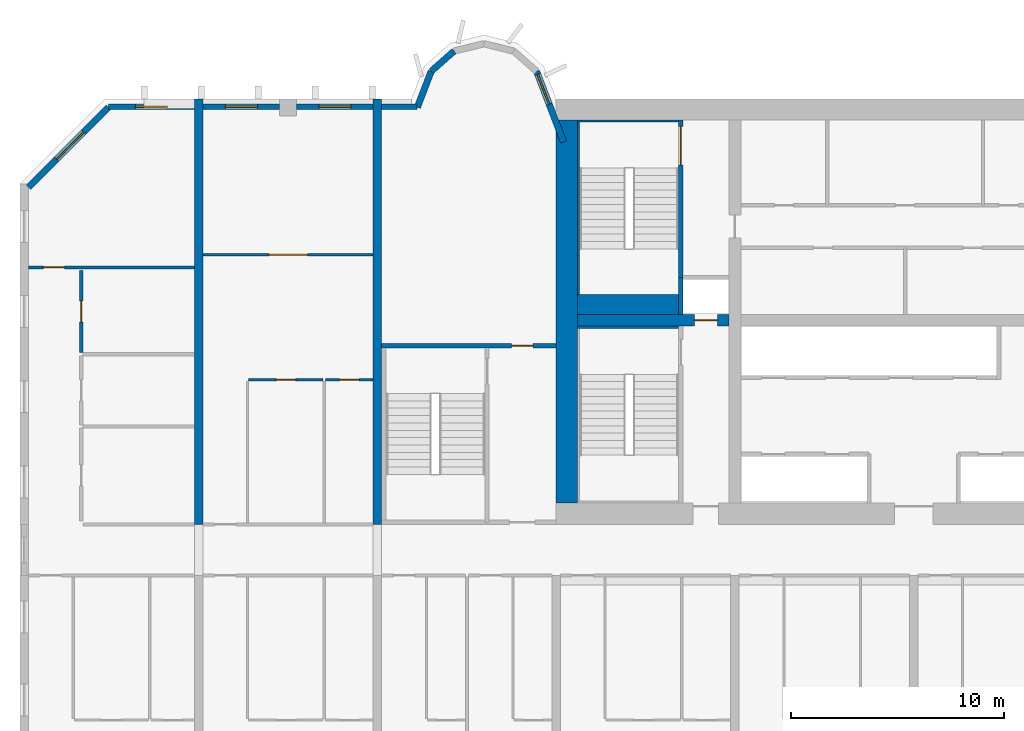
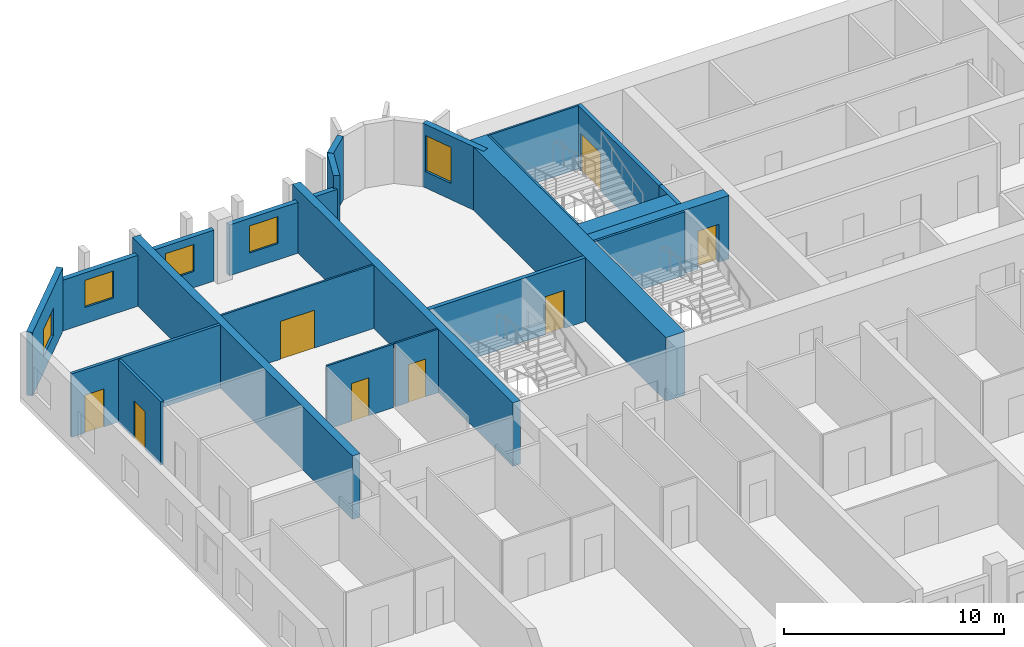
# One storey, part 6 of 15: 24 walls, 8 doors, 5 windows, 13 openings.
"""IFC4 building model written with IfcOpenShell, lengths in metres."""

from ifc_helpers import new_model, si_unit, direction, frame, frame_2d, origin, place, context, subcontext, project, spatial, rectangle, extrude, source, transform, mapped, material, layer, layer_set, type_object, element, fill, save


model = new_model("IFC4")

# Units and contexts
model_context = context("Model", 3, precision=1e-05, world=origin(), true_north=direction((0.0, 1.0)))
body_context = subcontext(model_context, "Body", "Model", "MODEL_VIEW")
ifc_project = project(units=[si_unit("LENGTHUNIT", "METRE"), si_unit("AREAUNIT", "SQUARE_METRE"), si_unit("VOLUMEUNIT", "CUBIC_METRE"), si_unit("PLANEANGLEUNIT", "RADIAN"), si_unit("MASSUNIT", "GRAM", prefix="KILO")], contexts=[model_context])

# Site, building, storey
site_placement = place(None, origin())
site = spatial("IfcSite", under=ifc_project, at=site_placement, CompositionType="ELEMENT")
building_placement = place(site_placement, origin())
building = spatial("IfcBuilding", under=site, at=building_placement, Name="Vanashikhar Sky Hotel", CompositionType="ELEMENT")
storey_placement = place(building_placement, frame((0.0, 0.0, 69.60009765625)))
storey = spatial("IfcBuildingStorey", under=building, at=storey_placement, Name="L16", CompositionType="ELEMENT", Elevation=69.60009765625)

# Wall
ifc_material_1 = material(Name="Concrete M80", Category="concrete")
ifc_layer_1 = layer(ifc_material_1, 1.0)
ifc_layer_set_1 = layer_set([ifc_layer_1], Name="RC core shell wall 1000 Concrete M80")
wall_type_1 = type_object("IfcWallType", Name="RC core shell wall 1000 Concrete M80", PredefinedType="SHEAR", material=ifc_layer_set_1)
shared_shape_1 = source(origin(), body_context, "Body", "SweptSolid", [
    extrude(rectangle(XDim=18.0, YDim=1.0, at=frame_2d((9.0, 0.0))), origin(), (0.0, 0.0, 1.0), 3.52001953125),
])
wall_1_placement = place(storey_placement, frame((25.699951171875, 23.0, 0.0), z_axis=(0.0, 0.0, 1.0), x_axis=(0.0, 1.0, 0.0)))
element("IfcWall", 1, at=wall_1_placement, inside=storey, type_object=wall_type_1, Name="KW-L16-KW", PredefinedType="SHEAR", context=body_context, shape_type="MappedRepresentation", body=[
    mapped(shared_shape_1, transform((0.0, 0.0, 0.0), scale=1.0)),
])

# Wall, opening, door
ifc_layer_2 = layer(ifc_material_1, 0.550048828125)
ifc_layer_set_2 = layer_set([ifc_layer_2], Name="RC core inner wall 550 Concrete M80")
wall_type_2 = type_object("IfcWallType", Name="RC core inner wall 550 Concrete M80", PredefinedType="SHEAR", material=ifc_layer_set_2)
shared_shape_2 = source(origin(), body_context, "Body", "SweptSolid", [
    extrude(rectangle(XDim=7.125, YDim=0.550048828125, at=frame_2d((3.5625, 0.0))), origin(), (0.0, 0.0, 1.0), 3.52001953125),
])
wall_2_placement = place(storey_placement, frame((26.199951171875, 31.60009765625, 0.0), z_axis=(0.0, 0.0, 1.0), x_axis=(1.0, 0.0, 0.0)))
wall_2 = element("IfcWall", 2, at=wall_2_placement, inside=storey, type_object=wall_type_2, Name="KW-L16-KY1", PredefinedType="SHEAR", context=body_context, shape_type="MappedRepresentation", body=[
    mapped(shared_shape_2, transform((0.0, 0.0, 0.0), scale=1.0)),
])
shared_shape_3 = source(origin(), body_context, "Body", "SweptSolid", [
    extrude(rectangle(XDim=1.10009765625, YDim=2.10009765625, at=frame_2d((0.550048828125, 1.050048828125))), frame((0.0, 0.28515625, 0.0), z_axis=(0.0, -1.0, 0.0), x_axis=(1.0, 0.0, 0.0)), (0.0, 0.0, 1.0), 0.570068359375),
])
opening_1_placement = place(wall_2_placement, frame((5.488037109375, 0.0, 0.0)))
opening_1 = element("IfcOpeningElement", 3, at=opening_1_placement, cuts=wall_2, Name="Opening LD", PredefinedType="OPENING", context=body_context, shape_type="MappedRepresentation", body=[
    mapped(shared_shape_3, transform((0.0, 0.0, 0.0), scale=1.0)),
])
ifc_material_2 = material(Name="Stainless steel", Category="steel")
door_type_1 = type_object("IfcDoorType", Name="Lift landing door 1100", OperationType="NOTDEFINED", PredefinedType="DOOR", material=ifc_material_2)
shared_shape_4 = source(origin(), body_context, "Body", "SweptSolid", [
    extrude(rectangle(XDim=1.10009765625, YDim=2.10009765625, at=frame_2d((0.550048828125, 1.050048828125))), frame((0.0, 0.02490234375, 0.0), z_axis=(0.0, -1.0, 0.0), x_axis=(1.0, 0.0, 0.0)), (0.0, 0.0, 1.0), 0.050048828125),
])
door_1_placement = place(opening_1_placement, origin())
door_1 = element("IfcDoor", 4, at=door_1_placement, inside=storey, type_object=door_type_1, Name="Lift landing door 1100", OperationType="SLIDING_TO_RIGHT", OverallHeight=2.10009765625, OverallWidth=1.10009765625, PredefinedType="DOOR", context=body_context, shape_type="MappedRepresentation", body=[
    mapped(shared_shape_4, transform((0.0, 0.0, 0.0), scale=1.0)),
])
fill(opening_1, door_1)

# Walls
ifc_layer_3 = layer(ifc_material_1, 0.39990234375)
ifc_layer_set_3 = layer_set([ifc_layer_3], Name="RC shear wall 400 Concrete M80")
wall_type_3 = type_object("IfcWallType", Name="RC shear wall 400 Concrete M80", PredefinedType="SHEAR", material=ifc_layer_set_3)
shared_shape_5 = source(origin(), body_context, "Body", "SweptSolid", [
    extrude(rectangle(XDim=20.0, YDim=0.39990234375, at=frame_2d((10.0, 0.0))), origin(), (0.0, 0.0, 1.0), 3.52001953125),
])
for number, where, z_axis, x_axis, name in (
    (5, (8.39990234375, 22.0, 0.0), (0.0, 0.0, 1.0), (0.0, 1.0, 0.0), "CW-L16-XW02-2"),
    (6, (16.800048828125, 22.0, 0.0), (0.0, 0.0, 1.0), (0.0, 1.0, 0.0), "CW-L16-XW03-2"),
):
    element("IfcWall", number, at=place(storey_placement, frame(where, z_axis=z_axis, x_axis=x_axis)), inside=storey, type_object=wall_type_3, Name=name, PredefinedType="SHEAR", context=body_context, shape_type="MappedRepresentation", body=[
        mapped(shared_shape_5, transform((0.0, 0.0, 0.0), scale=1.0)),
    ])

# Wall, opening, window
ifc_material_3 = material(Name="Concrete M50", Category="concrete")
ifc_layer_4 = layer(ifc_material_3, 0.300048828125)
ifc_layer_set_4 = layer_set([ifc_layer_4], Name="Lobe wall 300")
wall_type_4 = type_object("IfcWallType", Name="Lobe wall 300", PredefinedType="SOLIDWALL", material=ifc_layer_set_4)
shared_shape_6 = source(origin(), body_context, "Body", "SweptSolid", [
    extrude(rectangle(XDim=5.32568359375, YDim=0.300048828125, at=frame_2d((2.662841796875, 0.0))), origin(), (0.0, 0.0, 1.0), 3.52001953125),
])
wall_3_placement = place(storey_placement, frame((4.165771484375, 41.60009765625, 0.0), z_axis=(0.0, 0.0, 1.0), x_axis=(-0.707106781187, -0.707106781187, 0.0)))
wall_3 = element("IfcWall", 7, at=wall_3_placement, inside=storey, type_object=wall_type_4, Name="Corner wall", PredefinedType="SOLIDWALL", context=body_context, shape_type="MappedRepresentation", body=[
    mapped(shared_shape_6, transform((0.0, 0.0, 0.0), scale=1.0)),
])
shared_shape_7 = source(origin(), body_context, "Body", "SweptSolid", [
    extrude(rectangle(XDim=1.800048828125, YDim=1.5, at=frame_2d((0.89990234375, 0.75))), frame((0.0, 0.16015625, 0.0), z_axis=(0.0, -1.0, 0.0), x_axis=(1.0, 0.0, 0.0)), (0.0, 0.0, 1.0), 0.320068359375),
])
opening_2_placement = place(wall_3_placement, frame((1.654296875, 0.0, 0.89990234375)))
opening_2 = element("IfcOpeningElement", 8, at=opening_2_placement, cuts=wall_3, Name="Opening WN-4", PredefinedType="OPENING", context=body_context, shape_type="MappedRepresentation", body=[
    mapped(shared_shape_7, transform((0.0, 0.0, 0.0), scale=1.0)),
])
ifc_material_4 = material(Name="Glass", Category="glass")
window_type_1 = type_object("IfcWindowType", Name="Corner window 1800 x 1500", PartitioningType="SINGLE_PANEL", PredefinedType="WINDOW", material=ifc_material_4)
shared_shape_8 = source(origin(), body_context, "Body", "SweptSolid", [
    extrude(rectangle(XDim=1.800048828125, YDim=1.5, at=frame_2d((0.89990234375, 0.75))), frame((0.0, 0.030029296875, 0.0), z_axis=(0.0, -1.0, 0.0), x_axis=(1.0, 0.0, 0.0)), (0.0, 0.0, 1.0), 0.06005859375),
])
window_1_placement = place(opening_2_placement, origin())
window_1 = element("IfcWindow", 9, at=window_1_placement, inside=storey, type_object=window_type_1, Name="Window WN-4", OverallHeight=1.5, OverallWidth=1.800048828125, PartitioningType="SINGLE_PANEL", PredefinedType="WINDOW", context=body_context, shape_type="MappedRepresentation", body=[
    mapped(shared_shape_8, transform((0.0, 0.0, 0.0), scale=1.0)),
])
fill(opening_2, window_1)

shared_shape_9 = source(origin(), body_context, "Body", "SweptSolid", [
    extrude(rectangle(XDim=3.55908203125, YDim=0.300048828125, at=frame_2d((1.779541015625, 0.0))), origin(), (0.0, 0.0, 1.0), 3.52001953125),
])
wall_4_placement = place(storey_placement, frame((25.550048828125, 39.968505859375, 0.0), z_axis=(0.0, 0.0, 1.0), x_axis=(-0.35779745313, 0.933799219604, 0.0)))
wall_4 = element("IfcWall", 10, at=wall_4_placement, inside=storey, type_object=wall_type_4, Name="Lobe wall", PredefinedType="SOLIDWALL", context=body_context, shape_type="MappedRepresentation", body=[
    mapped(shared_shape_9, transform((0.0, 0.0, 0.0), scale=1.0)),
])
shared_shape_10 = source(origin(), body_context, "Body", "SweptSolid", [
    extrude(rectangle(XDim=1.5, YDim=2.0, at=frame_2d((0.75, 1.0))), frame((0.0, 0.16015625, 0.0), z_axis=(0.0, -1.0, 0.0), x_axis=(1.0, 0.0, 0.0)), (0.0, 0.0, 1.0), 0.320068359375),
])
opening_3_placement = place(wall_4_placement, frame((1.9033203125, 0.0, 0.89990234375)))
opening_3 = element("IfcOpeningElement", 11, at=opening_3_placement, cuts=wall_4, Name="Opening WN-2", PredefinedType="OPENING", context=body_context, shape_type="MappedRepresentation", body=[
    mapped(shared_shape_10, transform((0.0, 0.0, 0.0), scale=1.0)),
])
window_type_2 = type_object("IfcWindowType", Name="Lobe window 1500 x 2000", PartitioningType="SINGLE_PANEL", PredefinedType="WINDOW", material=ifc_material_4)
shared_shape_11 = source(origin(), body_context, "Body", "SweptSolid", [
    extrude(rectangle(XDim=1.5, YDim=2.0, at=frame_2d((0.75, 1.0))), frame((0.0, 0.030029296875, 0.0), z_axis=(0.0, -1.0, 0.0), x_axis=(1.0, 0.0, 0.0)), (0.0, 0.0, 1.0), 0.06005859375),
])
window_2_placement = place(opening_3_placement, origin())
window_2 = element("IfcWindow", 12, at=window_2_placement, inside=storey, type_object=window_type_2, Name="Window WN-2", OverallHeight=2.0, OverallWidth=1.5, PartitioningType="SINGLE_PANEL", PredefinedType="WINDOW", context=body_context, shape_type="MappedRepresentation", body=[
    mapped(shared_shape_11, transform((0.0, 0.0, 0.0), scale=1.0)),
])
fill(opening_3, window_2)

# Walls
shared_shape_12 = source(origin(), body_context, "Body", "SweptSolid", [
    extrude(rectangle(XDim=1.43994140625, YDim=0.300048828125, at=frame_2d((0.719970703125, 0.0))), origin(), (0.0, 0.0, 1.0), 3.52001953125),
])
wall_5_placement = place(storey_placement, frame((20.40283203125, 44.2451171875, 0.0), z_axis=(0.0, 0.0, 1.0), x_axis=(-0.74957555648, -0.661918790432, 0.0)))
element("IfcWall", 13, at=wall_5_placement, inside=storey, type_object=wall_type_4, Name="Lobe wall", PredefinedType="SOLIDWALL", context=body_context, shape_type="MappedRepresentation", body=[
    mapped(shared_shape_12, transform((0.0, 0.0, 0.0), scale=1.0)),
])
shared_shape_13 = source(origin(), body_context, "Body", "SweptSolid", [
    extrude(rectangle(XDim=1.81201171875, YDim=0.300048828125, at=frame_2d((0.906005859375, 0.0))), origin(), (0.0, 0.0, 1.0), 3.52001953125),
])
wall_6_placement = place(storey_placement, frame((19.323486328125, 43.2919921875, 0.0), z_axis=(0.0, 0.0, 1.0), x_axis=(-0.357877270961, -0.93376863244, 0.0)))
element("IfcWall", 14, at=wall_6_placement, inside=storey, type_object=wall_type_4, Name="Lobe wall", PredefinedType="SOLIDWALL", context=body_context, shape_type="MappedRepresentation", body=[
    mapped(shared_shape_13, transform((0.0, 0.0, 0.0), scale=1.0)),
])
ifc_layer_5 = layer(ifc_material_3, 0.25)
ifc_layer_set_5 = layer_set([ifc_layer_5], Name="Rear and end board-marked wall 250")
wall_type_5 = type_object("IfcWallType", Name="Rear and end board-marked wall 250", PredefinedType="SOLIDWALL", material=ifc_layer_set_5)
shared_shape_14 = source(origin(), body_context, "Body", "SweptSolid", [
    extrude(rectangle(XDim=1.657958984375, YDim=0.25, at=frame_2d((0.8291015625, 0.0))), origin(), (0.0, 0.0, 1.0), 2.81982421875),
])
wall_7_placement = place(storey_placement, frame((18.657958984375, 41.625, 0.0), z_axis=(0.0, 0.0, 1.0), x_axis=(-1.0, 0.0, 0.0)))
element("IfcWall", 15, at=wall_7_placement, inside=storey, type_object=wall_type_5, Name="Rear board-marked wall", PredefinedType="SOLIDWALL", context=body_context, shape_type="MappedRepresentation", body=[
    mapped(shared_shape_14, transform((0.0, 0.0, 0.0), scale=1.0)),
])

# Wall, opening, window
shared_shape_15 = source(origin(), body_context, "Body", "SweptSolid", [
    extrude(rectangle(XDim=3.60009765625, YDim=0.25, at=frame_2d((1.800048828125, 0.0))), origin(), (0.0, 0.0, 1.0), 2.81982421875),
])
wall_8_placement = place(storey_placement, frame((16.60009765625, 41.625, 0.0), z_axis=(0.0, 0.0, 1.0), x_axis=(-1.0, 0.0, 0.0)))
wall_8 = element("IfcWall", 16, at=wall_8_placement, inside=storey, type_object=wall_type_5, Name="Rear board-marked wall", PredefinedType="SOLIDWALL", context=body_context, shape_type="MappedRepresentation", body=[
    mapped(shared_shape_15, transform((0.0, 0.0, 0.0), scale=1.0)),
])
shared_shape_16 = source(origin(), body_context, "Body", "SweptSolid", [
    extrude(rectangle(XDim=1.5, YDim=1.5, at=frame_2d((0.75, 0.75))), frame((0.0, 0.135009765625, 0.0), z_axis=(0.0, -1.0, 0.0), x_axis=(1.0, 0.0, 0.0)), (0.0, 0.0, 1.0), 0.27001953125),
])
opening_4_placement = place(wall_8_placement, frame((1.050048828125, 0.0, 0.89990234375)))
opening_4 = element("IfcOpeningElement", 17, at=opening_4_placement, cuts=wall_8, Name="Opening WN-1", PredefinedType="OPENING", context=body_context, shape_type="MappedRepresentation", body=[
    mapped(shared_shape_16, transform((0.0, 0.0, 0.0), scale=1.0)),
])
window_type_3 = type_object("IfcWindowType", Name="Window 1500 x 1500", PartitioningType="SINGLE_PANEL", PredefinedType="WINDOW", material=ifc_material_4)
shared_shape_17 = source(origin(), body_context, "Body", "SweptSolid", [
    extrude(rectangle(XDim=1.5, YDim=1.5, at=frame_2d((0.75, 0.75))), frame((0.0, 0.030029296875, 0.0), z_axis=(0.0, -1.0, 0.0), x_axis=(1.0, 0.0, 0.0)), (0.0, 0.0, 1.0), 0.06005859375),
])
window_3_placement = place(opening_4_placement, origin())
window_3 = element("IfcWindow", 18, at=window_3_placement, inside=storey, type_object=window_type_3, Name="Window WN-1", OverallHeight=1.5, OverallWidth=1.5, PartitioningType="SINGLE_PANEL", PredefinedType="WINDOW", context=body_context, shape_type="MappedRepresentation", body=[
    mapped(shared_shape_17, transform((0.0, 0.0, 0.0), scale=1.0)),
])
fill(opening_4, window_3)

shared_shape_18 = source(origin(), body_context, "Body", "SweptSolid", [
    extrude(rectangle(XDim=3.599853515625, YDim=0.25, at=frame_2d((1.7998046875, 0.0))), origin(), (0.0, 0.0, 1.0), 2.81982421875),
])
wall_9_placement = place(storey_placement, frame((12.199951171875, 41.625, 0.0), z_axis=(0.0, 0.0, 1.0), x_axis=(-1.0, 0.0, 0.0)))
wall_9 = element("IfcWall", 19, at=wall_9_placement, inside=storey, type_object=wall_type_5, Name="Rear board-marked wall", PredefinedType="SOLIDWALL", context=body_context, shape_type="MappedRepresentation", body=[
    mapped(shared_shape_18, transform((0.0, 0.0, 0.0), scale=1.0)),
])
opening_5_placement = place(wall_9_placement, frame((1.050048828125, 0.0, 0.89990234375)))
opening_5 = element("IfcOpeningElement", 20, at=opening_5_placement, cuts=wall_9, Name="Opening WN-1", PredefinedType="OPENING", context=body_context, shape_type="MappedRepresentation", body=[
    mapped(shared_shape_16, transform((0.0, 0.0, 0.0), scale=1.0)),
])
window_4_placement = place(opening_5_placement, origin())
window_4 = element("IfcWindow", 21, at=window_4_placement, inside=storey, type_object=window_type_3, Name="Window WN-1", OverallHeight=1.5, OverallWidth=1.5, PartitioningType="SINGLE_PANEL", PredefinedType="WINDOW", context=body_context, shape_type="MappedRepresentation", body=[
    mapped(shared_shape_17, transform((0.0, 0.0, 0.0), scale=1.0)),
])
fill(opening_5, window_4)

shared_shape_19 = source(origin(), body_context, "Body", "SweptSolid", [
    extrude(rectangle(XDim=4.044677734375, YDim=0.25, at=frame_2d((2.0224609375, 0.0))), origin(), (0.0, 0.0, 1.0), 2.81982421875),
])
wall_10_placement = place(storey_placement, frame((8.199951171875, 41.625, 0.0), z_axis=(0.0, 0.0, 1.0), x_axis=(-1.0, 0.0, 0.0)))
wall_10 = element("IfcWall", 22, at=wall_10_placement, inside=storey, type_object=wall_type_5, Name="Rear board-marked wall", PredefinedType="SOLIDWALL", context=body_context, shape_type="MappedRepresentation", body=[
    mapped(shared_shape_19, transform((0.0, 0.0, 0.0), scale=1.0)),
])
opening_6_placement = place(wall_10_placement, frame((1.2724609375, 0.0, 0.89990234375)))
opening_6 = element("IfcOpeningElement", 23, at=opening_6_placement, cuts=wall_10, Name="Opening WN-1", PredefinedType="OPENING", context=body_context, shape_type="MappedRepresentation", body=[
    mapped(shared_shape_16, transform((0.0, 0.0, 0.0), scale=1.0)),
])
window_5_placement = place(opening_6_placement, origin())
window_5 = element("IfcWindow", 24, at=window_5_placement, inside=storey, type_object=window_type_3, Name="Window WN-1", OverallHeight=1.5, OverallWidth=1.5, PartitioningType="SINGLE_PANEL", PredefinedType="WINDOW", context=body_context, shape_type="MappedRepresentation", body=[
    mapped(shared_shape_17, transform((0.0, 0.0, 0.0), scale=1.0)),
])
fill(opening_6, window_5)

# Wall, opening, door
ifc_layer_6 = layer(ifc_material_3, 0.199951171875)
ifc_layer_set_6 = layer_set([ifc_layer_6], Name="Stair wall 200")
wall_type_6 = type_object("IfcWallType", Name="Stair wall 200", PredefinedType="SOLIDWALL", material=ifc_layer_set_6)
shared_shape_20 = source(origin(), body_context, "Body", "SweptSolid", [
    extrude(rectangle(XDim=8.199951171875, YDim=0.199951171875, at=frame_2d((4.10009765625, 0.0))), origin(), (0.0, 0.0, 1.0), 3.52001953125),
])
wall_11_placement = place(storey_placement, frame((17.0, 30.39990234375, 0.0), z_axis=(0.0, 0.0, 1.0), x_axis=(1.0, 0.0, 0.0)))
wall_11 = element("IfcWall", 25, at=wall_11_placement, inside=storey, type_object=wall_type_6, Name="Stair wall 200", PredefinedType="SOLIDWALL", context=body_context, shape_type="MappedRepresentation", body=[
    mapped(shared_shape_20, transform((0.0, 0.0, 0.0), scale=1.0)),
])
shared_shape_21 = source(origin(), body_context, "Body", "SweptSolid", [
    extrude(rectangle(XDim=1.0, YDim=2.10009765625, at=frame_2d((0.5, 1.050048828125))), frame((0.0, 0.10986328125, 0.0), z_axis=(0.0, -1.0, 0.0), x_axis=(1.0, 0.0, 0.0)), (0.0, 0.0, 1.0), 0.219970703125),
])
opening_7_placement = place(wall_11_placement, frame((6.10009765625, 0.0, 0.0)))
opening_7 = element("IfcOpeningElement", 26, at=opening_7_placement, cuts=wall_11, Name="Opening DC-6", PredefinedType="OPENING", context=body_context, shape_type="MappedRepresentation", body=[
    mapped(shared_shape_21, transform((0.0, 0.0, 0.0), scale=1.0)),
])
ifc_material_5 = material(Name="Steel", Category="steel")
door_type_2 = type_object("IfcDoorType", Name="Pocket door 1000 FD60", OperationType="NOTDEFINED", PredefinedType="DOOR", material=ifc_material_5)
shared_shape_22 = source(origin(), body_context, "Body", "SweptSolid", [
    extrude(rectangle(XDim=1.0, YDim=2.10009765625, at=frame_2d((0.5, 1.050048828125))), frame((0.0, 0.02490234375, 0.0), z_axis=(0.0, -1.0, 0.0), x_axis=(1.0, 0.0, 0.0)), (0.0, 0.0, 1.0), 0.050048828125),
])
door_2_placement = place(opening_7_placement, origin())
door_2 = element("IfcDoor", 27, at=door_2_placement, inside=storey, type_object=door_type_2, Name="Pocket door 1000 FD60", OperationType="SINGLE_SWING_LEFT", OverallHeight=2.10009765625, OverallWidth=1.0, PredefinedType="DOOR", context=body_context, shape_type="MappedRepresentation", body=[
    mapped(shared_shape_22, transform((0.0, 0.0, 0.0), scale=1.0)),
])
fill(opening_7, door_2)

# Walls
ifc_layer_7 = layer(ifc_material_3, 0.10009765625)
ifc_layer_set_7 = layer_set([ifc_layer_7], Name="Stair infill wall 100")
wall_type_7 = type_object("IfcWallType", Name="Stair infill wall 100", PredefinedType="SOLIDWALL", material=ifc_layer_set_7)
shared_shape_23 = source(origin(), body_context, "Body", "SweptSolid", [
    extrude(rectangle(XDim=4.75, YDim=0.10009765625, at=frame_2d((2.375, 0.0))), origin(), (0.0, 0.0, 1.0), 3.52001953125),
])
wall_12_placement = place(storey_placement, frame((26.199951171875, 40.949951171875, 0.0), z_axis=(0.0, 0.0, 1.0), x_axis=(1.0, 0.0, 0.0)))
element("IfcWall", 28, at=wall_12_placement, inside=storey, type_object=wall_type_7, Name="Stair infill wall 100", PredefinedType="SOLIDWALL", context=body_context, shape_type="MappedRepresentation", body=[
    mapped(shared_shape_23, transform((0.0, 0.0, 0.0), scale=1.0)),
])
shared_shape_24 = source(origin(), body_context, "Body", "SweptSolid", [
    extrude(rectangle(XDim=8.099853515625, YDim=0.10009765625, at=frame_2d((4.0498046875, 0.0))), origin(), (0.0, 0.0, 1.0), 3.52001953125),
])
wall_13_placement = place(storey_placement, frame((26.25, 32.800048828125, 0.0), z_axis=(0.0, 0.0, 1.0), x_axis=(0.0, 1.0, 0.0)))
element("IfcWall", 29, at=wall_13_placement, inside=storey, type_object=wall_type_7, Name="Stair infill wall 100", PredefinedType="SOLIDWALL", context=body_context, shape_type="MappedRepresentation", body=[
    mapped(shared_shape_24, transform((0.0, 0.0, 0.0), scale=1.0)),
])
ifc_material_6 = material(Name="Concrete M40", Category="concrete")
ifc_layer_8 = layer(ifc_material_6, 0.199951171875)
ifc_layer_set_8 = layer_set([ifc_layer_8], Name="Shaft wall 200")
wall_type_8 = type_object("IfcWallType", Name="Shaft wall 200", PredefinedType="SOLIDWALL", material=ifc_layer_set_8)
shared_shape_25 = source(origin(), body_context, "Body", "SweptSolid", [
    extrude(rectangle(XDim=1.72509765625, YDim=0.199951171875, at=frame_2d((0.862548828125, 0.0))), origin(), (0.0, 0.0, 1.0), 3.52001953125),
])
wall_14_placement = place(storey_placement, frame((31.050048828125, 31.875, 0.0), z_axis=(0.0, 0.0, 1.0), x_axis=(0.0, 1.0, 0.0)))
element("IfcWall", 30, at=wall_14_placement, inside=storey, type_object=wall_type_8, Name="Shaft wall 200", PredefinedType="SOLIDWALL", context=body_context, shape_type="MappedRepresentation", body=[
    mapped(shared_shape_25, transform((0.0, 0.0, 0.0), scale=1.0)),
])

# Wall, opening, door
shared_shape_26 = source(origin(), body_context, "Body", "SweptSolid", [
    extrude(rectangle(XDim=7.39990234375, YDim=0.199951171875, at=frame_2d((3.699951171875, 0.0))), origin(), (0.0, 0.0, 1.0), 3.52001953125),
])
wall_15_placement = place(storey_placement, frame((31.050048828125, 33.60009765625, 0.0), z_axis=(0.0, 0.0, 1.0), x_axis=(0.0, 1.0, 0.0)))
wall_15 = element("IfcWall", 31, at=wall_15_placement, inside=storey, type_object=wall_type_6, Name="Stair wall 200", PredefinedType="SOLIDWALL", context=body_context, shape_type="MappedRepresentation", body=[
    mapped(shared_shape_26, transform((0.0, 0.0, 0.0), scale=1.0)),
])
shared_shape_27 = source(origin(), body_context, "Body", "SweptSolid", [
    extrude(rectangle(XDim=1.800048828125, YDim=2.10009765625, at=frame_2d((0.89990234375, 1.050048828125))), frame((0.0, 0.10986328125, 0.0), z_axis=(0.0, -1.0, 0.0), x_axis=(1.0, 0.0, 0.0)), (0.0, 0.0, 1.0), 0.219970703125),
])
opening_8_placement = place(wall_15_placement, frame((5.300048828125, 0.0, 0.0)))
opening_8 = element("IfcOpeningElement", 32, at=opening_8_placement, cuts=wall_15, Name="Opening DC-1-A", PredefinedType="OPENING", context=body_context, shape_type="MappedRepresentation", body=[
    mapped(shared_shape_27, transform((0.0, 0.0, 0.0), scale=1.0)),
])
door_type_3 = type_object("IfcDoorType", Name="Stair door 1800 FD120", OperationType="NOTDEFINED", PredefinedType="DOOR", material=ifc_material_5)
shared_shape_28 = source(origin(), body_context, "Body", "SweptSolid", [
    extrude(rectangle(XDim=1.800048828125, YDim=2.10009765625, at=frame_2d((0.89990234375, 1.050048828125))), frame((0.0, 0.02490234375, 0.0), z_axis=(0.0, -1.0, 0.0), x_axis=(1.0, 0.0, 0.0)), (0.0, 0.0, 1.0), 0.050048828125),
])
door_3_placement = place(opening_8_placement, origin())
door_3 = element("IfcDoor", 33, at=door_3_placement, inside=storey, type_object=door_type_3, Name="Stair door 1800 FD120", OperationType="SINGLE_SWING_LEFT", OverallHeight=2.10009765625, OverallWidth=1.800048828125, PredefinedType="DOOR", context=body_context, shape_type="MappedRepresentation", body=[
    mapped(shared_shape_28, transform((0.0, 0.0, 0.0), scale=1.0)),
])
fill(opening_8, door_3)

# Walls
ifc_layer_9 = layer(ifc_material_3, 0.125)
ifc_layer_set_9 = layer_set([ifc_layer_9], Name="Stair infill wall 125")
wall_type_9 = type_object("IfcWallType", Name="Stair infill wall 125", PredefinedType="SOLIDWALL", material=ifc_layer_set_9)
shared_shape_29 = source(origin(), body_context, "Body", "SweptSolid", [
    extrude(rectangle(XDim=4.75, YDim=0.125, at=frame_2d((2.375, 0.0))), origin(), (0.0, 0.0, 1.0), 3.52001953125),
])
wall_16_placement = place(storey_placement, frame((26.199951171875, 31.261962890625, 0.0), z_axis=(0.0, 0.0, 1.0), x_axis=(1.0, 0.0, 0.0)))
element("IfcWall", 34, at=wall_16_placement, inside=storey, type_object=wall_type_9, Name="Stair infill wall 125", PredefinedType="SOLIDWALL", context=body_context, shape_type="MappedRepresentation", body=[
    mapped(shared_shape_29, transform((0.0, 0.0, 0.0), scale=1.0)),
])
ifc_layer_10 = layer(ifc_material_3, 0.925048828125)
ifc_layer_set_10 = layer_set([ifc_layer_10], Name="Stair infill wall 925")
wall_type_10 = type_object("IfcWallType", Name="Stair infill wall 925", PredefinedType="SOLIDWALL", material=ifc_layer_set_10)
shared_shape_30 = source(origin(), body_context, "Body", "SweptSolid", [
    extrude(rectangle(XDim=4.75, YDim=0.925048828125, at=frame_2d((2.375, 0.0))), origin(), (0.0, 0.0, 1.0), 3.52001953125),
])
wall_17_placement = place(storey_placement, frame((26.199951171875, 32.3369140625, 0.0), z_axis=(0.0, 0.0, 1.0), x_axis=(1.0, 0.0, 0.0)))
element("IfcWall", 35, at=wall_17_placement, inside=storey, type_object=wall_type_10, Name="Stair infill wall 925", PredefinedType="SOLIDWALL", context=body_context, shape_type="MappedRepresentation", body=[
    mapped(shared_shape_30, transform((0.0, 0.0, 0.0), scale=1.0)),
])

# Wall, opening, door
ifc_material_7 = material(Name="Gypsum plasterboard partition")
ifc_layer_11 = layer(ifc_material_7, 0.14990234375)
ifc_layer_set_11 = layer_set([ifc_layer_11], Name="Corridor and demising partition 150")
wall_type_11 = type_object("IfcWallType", Name="Corridor and demising partition 150", PredefinedType="PARTITIONING", material=ifc_layer_set_11)
shared_shape_31 = source(origin(), body_context, "Body", "SweptSolid", [
    extrude(rectangle(XDim=3.85009765625, YDim=0.14990234375, at=frame_2d((1.925048828125, 0.0))), origin(), (0.0, 0.0, 1.0), 3.52001953125),
])
wall_18_placement = place(storey_placement, frame((2.875, 30.074951171875, 0.0), z_axis=(0.0, 0.0, 1.0), x_axis=(0.0, 1.0, 0.0)))
wall_18 = element("IfcWall", 36, at=wall_18_placement, inside=storey, type_object=wall_type_11, Name="W-L16-PW075", PredefinedType="PARTITIONING", context=body_context, shape_type="MappedRepresentation", body=[
    mapped(shared_shape_31, transform((0.0, 0.0, 0.0), scale=1.0)),
])
shared_shape_32 = source(origin(), body_context, "Body", "SweptSolid", [
    extrude(rectangle(XDim=1.0, YDim=2.10009765625, at=frame_2d((0.5, 1.050048828125))), frame((0.0, 0.0849609375, 0.0), z_axis=(0.0, -1.0, 0.0), x_axis=(1.0, 0.0, 0.0)), (0.0, 0.0, 1.0), 0.169921875),
])
opening_9_placement = place(wall_18_placement, frame((1.425048828125, 0.0, 0.0)))
opening_9 = element("IfcOpeningElement", 37, at=opening_9_placement, cuts=wall_18, Name="Opening D-01", PredefinedType="OPENING", context=body_context, shape_type="MappedRepresentation", body=[
    mapped(shared_shape_32, transform((0.0, 0.0, 0.0), scale=1.0)),
])
ifc_material_8 = material(Name="Timber fire door", Category="wood")
door_type_4 = type_object("IfcDoorType", Name="Guest entry door 1000 FD30S", OperationType="NOTDEFINED", PredefinedType="DOOR", material=ifc_material_8)
door_4_placement = place(opening_9_placement, origin())
door_4 = element("IfcDoor", 38, at=door_4_placement, inside=storey, type_object=door_type_4, Name="D-L16-045", OperationType="SINGLE_SWING_LEFT", OverallHeight=2.10009765625, OverallWidth=1.0, PredefinedType="DOOR", context=body_context, shape_type="MappedRepresentation", body=[
    mapped(shared_shape_22, transform((0.0, 0.0, 0.0), scale=1.0)),
])
fill(opening_9, door_4)

ifc_layer_12 = layer(ifc_material_7, 0.10009765625)
ifc_layer_set_12 = layer_set([ifc_layer_12], Name="Wet room partition 100")
wall_type_12 = type_object("IfcWallType", Name="Wet room partition 100", PredefinedType="PARTITIONING", material=ifc_layer_set_12)
shared_shape_33 = source(origin(), body_context, "Body", "SweptSolid", [
    extrude(rectangle(XDim=3.5, YDim=0.10009765625, at=frame_2d((1.75, 0.0))), origin(), (0.0, 0.0, 1.0), 3.52001953125),
])
wall_19_placement = place(storey_placement, frame((10.75, 28.800048828125, 0.0), z_axis=(0.0, 0.0, 1.0), x_axis=(1.0, 0.0, 0.0)))
wall_19 = element("IfcWall", 39, at=wall_19_placement, inside=storey, type_object=wall_type_12, Name="W-L16-PW079", PredefinedType="PARTITIONING", context=body_context, shape_type="MappedRepresentation", body=[
    mapped(shared_shape_33, transform((0.0, 0.0, 0.0), scale=1.0)),
])
shared_shape_34 = source(origin(), body_context, "Body", "SweptSolid", [
    extrude(rectangle(XDim=0.89990234375, YDim=2.10009765625, at=frame_2d((0.449951171875, 1.050048828125))), frame((0.0, 0.06005859375, 0.0), z_axis=(0.0, -1.0, 0.0), x_axis=(1.0, 0.0, 0.0)), (0.0, 0.0, 1.0), 0.1201171875),
])
opening_10_placement = place(wall_19_placement, frame((1.300048828125, 0.0, 0.0)))
opening_10 = element("IfcOpeningElement", 40, at=opening_10_placement, cuts=wall_19, Name="Opening D-02", PredefinedType="OPENING", context=body_context, shape_type="MappedRepresentation", body=[
    mapped(shared_shape_34, transform((0.0, 0.0, 0.0), scale=1.0)),
])
ifc_material_9 = material(Name="Timber door", Category="wood")
door_type_5 = type_object("IfcDoorType", Name="Internal door 900", OperationType="NOTDEFINED", PredefinedType="DOOR", material=ifc_material_9)
shared_shape_35 = source(origin(), body_context, "Body", "SweptSolid", [
    extrude(rectangle(XDim=0.89990234375, YDim=2.10009765625, at=frame_2d((0.449951171875, 1.050048828125))), frame((0.0, 0.02490234375, 0.0), z_axis=(0.0, -1.0, 0.0), x_axis=(1.0, 0.0, 0.0)), (0.0, 0.0, 1.0), 0.050048828125),
])
door_5_placement = place(opening_10_placement, origin())
door_5 = element("IfcDoor", 41, at=door_5_placement, inside=storey, type_object=door_type_5, Name="D-L16-047", OperationType="SINGLE_SWING_LEFT", OverallHeight=2.10009765625, OverallWidth=0.89990234375, PredefinedType="DOOR", context=body_context, shape_type="MappedRepresentation", body=[
    mapped(shared_shape_35, transform((0.0, 0.0, 0.0), scale=1.0)),
])
fill(opening_10, door_5)

shared_shape_36 = source(origin(), body_context, "Body", "SweptSolid", [
    extrude(rectangle(XDim=8.0, YDim=0.10009765625, at=frame_2d((4.0, 0.0))), origin(), (0.0, 0.0, 1.0), 3.52001953125),
])
wall_20_placement = place(storey_placement, frame((8.60009765625, 34.672119140625, 0.0), z_axis=(0.0, 0.0, 1.0), x_axis=(1.0, 0.0, 0.0)))
wall_20 = element("IfcWall", 42, at=wall_20_placement, inside=storey, type_object=wall_type_12, Name="W-L16-PW081", PredefinedType="PARTITIONING", context=body_context, shape_type="MappedRepresentation", body=[
    mapped(shared_shape_36, transform((0.0, 0.0, 0.0), scale=1.0)),
])
shared_shape_37 = source(origin(), body_context, "Body", "SweptSolid", [
    extrude(rectangle(XDim=1.800048828125, YDim=2.10009765625, at=frame_2d((0.89990234375, 1.050048828125))), frame((0.0, 0.06005859375, 0.0), z_axis=(0.0, -1.0, 0.0), x_axis=(1.0, 0.0, 0.0)), (0.0, 0.0, 1.0), 0.1201171875),
])
opening_11_placement = place(wall_20_placement, frame((3.10009765625, 0.0, 0.0)))
opening_11 = element("IfcOpeningElement", 43, at=opening_11_placement, cuts=wall_20, Name="Opening D-08", PredefinedType="OPENING", context=body_context, shape_type="MappedRepresentation", body=[
    mapped(shared_shape_37, transform((0.0, 0.0, 0.0), scale=1.0)),
])
door_type_6 = type_object("IfcDoorType", Name="Double leaf door 1800", OperationType="NOTDEFINED", PredefinedType="DOOR", material=ifc_material_9)
door_6_placement = place(opening_11_placement, origin())
door_6 = element("IfcDoor", 44, at=door_6_placement, inside=storey, type_object=door_type_6, Name="D-L16-049", OperationType="DOUBLE_DOOR_SINGLE_SWING", OverallHeight=2.10009765625, OverallWidth=1.800048828125, PredefinedType="DOOR", context=body_context, shape_type="MappedRepresentation", body=[
    mapped(shared_shape_28, transform((0.0, 0.0, 0.0), scale=1.0)),
])
fill(opening_11, door_6)

shared_shape_38 = source(origin(), body_context, "Body", "SweptSolid", [
    extrude(rectangle(XDim=7.800048828125, YDim=0.14990234375, at=frame_2d((3.89990234375, 0.0))), origin(), (0.0, 0.0, 1.0), 3.52001953125),
])
wall_21_placement = place(storey_placement, frame((0.39990234375, 34.074951171875, 0.0), z_axis=(0.0, 0.0, 1.0), x_axis=(1.0, 0.0, 0.0)))
wall_21 = element("IfcWall", 45, at=wall_21_placement, inside=storey, type_object=wall_type_11, Name="W-L16-PW076", PredefinedType="PARTITIONING", context=body_context, shape_type="MappedRepresentation", body=[
    mapped(shared_shape_38, transform((0.0, 0.0, 0.0), scale=1.0)),
])
opening_12_placement = place(wall_21_placement, frame((0.699951171875, 0.0, 0.0)))
opening_12 = element("IfcOpeningElement", 46, at=opening_12_placement, cuts=wall_21, Name="Opening D-01", PredefinedType="OPENING", context=body_context, shape_type="MappedRepresentation", body=[
    mapped(shared_shape_32, transform((0.0, 0.0, 0.0), scale=1.0)),
])
door_7_placement = place(opening_12_placement, origin())
door_7 = element("IfcDoor", 47, at=door_7_placement, inside=storey, type_object=door_type_4, Name="D-L16-046", OperationType="SINGLE_SWING_LEFT", OverallHeight=2.10009765625, OverallWidth=1.0, PredefinedType="DOOR", context=body_context, shape_type="MappedRepresentation", body=[
    mapped(shared_shape_22, transform((0.0, 0.0, 0.0), scale=1.0)),
])
fill(opening_12, door_7)

shared_shape_39 = source(origin(), body_context, "Body", "SweptSolid", [
    extrude(rectangle(XDim=2.25, YDim=0.10009765625, at=frame_2d((1.125, 0.0))), origin(), (0.0, 0.0, 1.0), 3.52001953125),
])
wall_22_placement = place(storey_placement, frame((14.35009765625, 28.800048828125, 0.0), z_axis=(0.0, 0.0, 1.0), x_axis=(1.0, 0.0, 0.0)))
wall_22 = element("IfcWall", 48, at=wall_22_placement, inside=storey, type_object=wall_type_12, Name="W-L16-PW080", PredefinedType="PARTITIONING", context=body_context, shape_type="MappedRepresentation", body=[
    mapped(shared_shape_39, transform((0.0, 0.0, 0.0), scale=1.0)),
])
opening_13_placement = place(wall_22_placement, frame((0.675048828125, 0.0, 0.0)))
opening_13 = element("IfcOpeningElement", 49, at=opening_13_placement, cuts=wall_22, Name="Opening D-02", PredefinedType="OPENING", context=body_context, shape_type="MappedRepresentation", body=[
    mapped(shared_shape_34, transform((0.0, 0.0, 0.0), scale=1.0)),
])
door_8_placement = place(opening_13_placement, origin())
door_8 = element("IfcDoor", 50, at=door_8_placement, inside=storey, type_object=door_type_5, Name="D-L16-048", OperationType="SINGLE_SWING_LEFT", OverallHeight=2.10009765625, OverallWidth=0.89990234375, PredefinedType="DOOR", context=body_context, shape_type="MappedRepresentation", body=[
    mapped(shared_shape_35, transform((0.0, 0.0, 0.0), scale=1.0)),
])
fill(opening_13, door_8)

save(model, "model.ifc")
